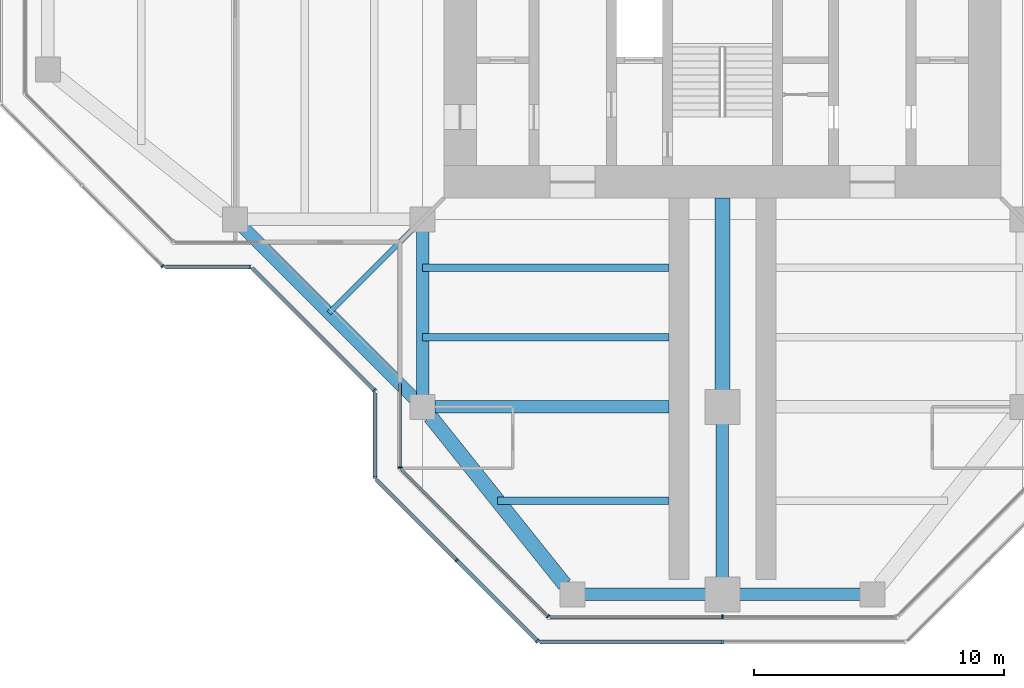
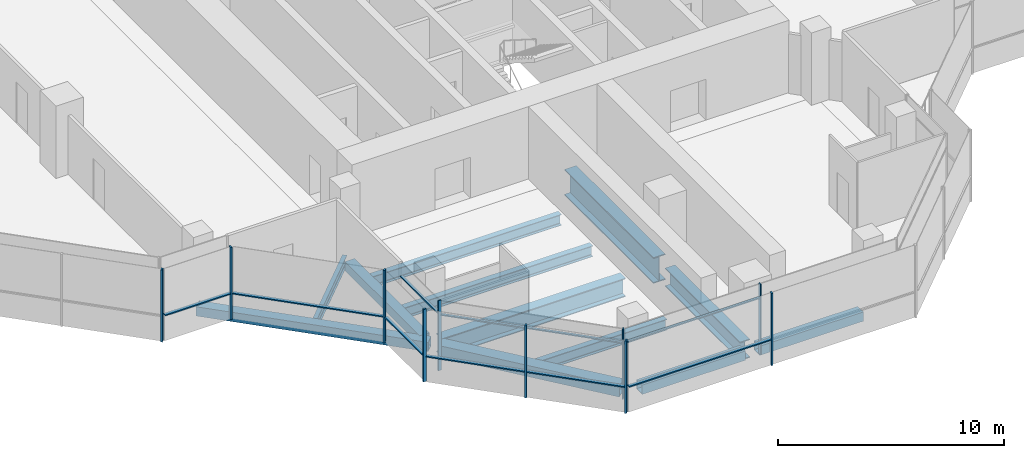
# One storey, part 2 of 15: 19 members, 12 beams, 9 elements without a shape of their own.
"""IFC4 building model written with IfcOpenShell, lengths in metres."""

from ifc_helpers import new_model, si_unit, direction, frame, origin, origin_2d, place, context, subcontext, project, spatial, rectangle, hollow_rectangle, i_section, extrude, material, material_profile, profile_set, type_object, element, aggregate, save


model = new_model("IFC4")

# Units and contexts
model_context = context("Model", 3, precision=1e-05, world=origin(), true_north=direction((0.0, 1.0)))
body_context = subcontext(model_context, "Body", "Model", "MODEL_VIEW")
ifc_project = project(units=[si_unit("LENGTHUNIT", "METRE"), si_unit("AREAUNIT", "SQUARE_METRE"), si_unit("VOLUMEUNIT", "CUBIC_METRE"), si_unit("PLANEANGLEUNIT", "RADIAN"), si_unit("MASSUNIT", "GRAM", prefix="KILO")], contexts=[model_context])

# Site, building, storey
site_placement = place(None, origin())
site = spatial("IfcSite", under=ifc_project, at=site_placement, CompositionType="ELEMENT")
building_placement = place(site_placement, origin())
building = spatial("IfcBuilding", under=site, at=building_placement, Name="Mizan Broadcast Tower", CompositionType="ELEMENT")
storey_placement = place(building_placement, frame((0.0, 0.0, 298.5)))
storey = spatial("IfcBuildingStorey", under=building, at=storey_placement, Name="L71", CompositionType="ELEMENT", Elevation=298.5)

# Beams
ifc_material_1 = material(Name="Steel S355", Category="steel")
ifc_material_profile_1 = material_profile(ifc_material_1, hollow_rectangle(XDim=0.5, YDim=0.5, WallThickness=0.030029296875, at=origin_2d()), Name="BOX 500x500x30")
ifc_profile_set_1 = profile_set([ifc_material_profile_1], Name="Steel S355")
beam_type_1 = type_object("IfcBeamType", Name="EDGE BEAM BOX 500x500x30", PredefinedType="SPANDREL", material=ifc_profile_set_1)
beam_1_placement = place(storey_placement, frame((-12.0, -12.449951171875, -0.3798828125), z_axis=(0.0, -1.0, 0.0), x_axis=(1.0, 0.0, 0.0)))
element("IfcBeam", 1, at=beam_1_placement, inside=storey, type_object=beam_type_1, Name="Edge beam BOX 500x500x30 L71 south arm", PredefinedType="SPANDREL", context=body_context, shape_type="SweptSolid", body=[
    extrude(hollow_rectangle(XDim=0.5, YDim=0.5, WallThickness=0.030029296875, at=origin_2d()), origin(), (0.0, 0.0, 1.0), 6.60009765625),
])
for number, where, z_axis, x_axis, name in (
    (2, (-5.639892578125, -27.0, -0.3798828125), (1.0, 0.0, 0.0), (0.0, 1.0, 0.0), "Edge beam BOX 500x500x30 L71 south arm"),
    (3, (5.639892578125, -27.0, -0.3798828125), (-1.0, 0.0, 0.0), (0.0, -1.0, 0.0), "Edge beam BOX 500x500x30 L71 south arm"),
):
    element("IfcBeam", number, at=place(storey_placement, frame(where, z_axis=z_axis, x_axis=x_axis)), inside=storey, type_object=beam_type_1, Name=name, PredefinedType="SPANDREL", context=body_context, shape_type="SweptSolid", body=[
        extrude(hollow_rectangle(XDim=0.5, YDim=0.5, WallThickness=0.030029296875, at=origin_2d()), origin(), (0.0, 0.0, 1.0), 5.27978515625),
    ])
beam_2_placement = place(storey_placement, frame((-19.5, -12.0, -0.3798828125), z_axis=(0.707106781187, -0.707106781187, 0.0), x_axis=(0.707106781187, 0.707106781187, 0.0)))
element("IfcBeam", 4, at=beam_2_placement, inside=storey, type_object=beam_type_1, Name="Winter garden edge beam L71 W", PredefinedType="SPANDREL", context=body_context, shape_type="SweptSolid", body=[
    extrude(hollow_rectangle(XDim=0.5, YDim=0.5, WallThickness=0.030029296875, at=origin_2d()), origin(), (0.0, 0.0, 1.0), 10.606689453125),
])
ifc_material_2 = material(Name="Steel S355", Category="steel")
ifc_material_profile_2 = material_profile(ifc_material_2, hollow_rectangle(XDim=0.60009765625, YDim=0.60009765625, WallThickness=0.030029296875, at=origin_2d()), Name="BOX 600x600x30")
ifc_profile_set_2 = profile_set([ifc_material_profile_2], Name="Steel S355")
beam_type_2 = type_object("IfcBeamType", Name="EDGE BEAM BOX 600x600x30", PredefinedType="SPANDREL", material=ifc_profile_set_2)
beam_3_placement = place(storey_placement, frame((-11.687744140625, -19.890380859375, -0.429931640625), z_axis=(0.62470196761, -0.780863273348, 0.0), x_axis=(0.780863273348, 0.62470196761, 0.0)))
element("IfcBeam", 5, at=beam_3_placement, inside=storey, type_object=beam_type_2, Name="Edge beam BOX 600x600x30 L71 south arm", PredefinedType="SPANDREL", context=body_context, shape_type="SweptSolid", body=[
    extrude(hollow_rectangle(XDim=0.60009765625, YDim=0.60009765625, WallThickness=0.030029296875, at=origin_2d()), origin(), (0.0, 0.0, 1.0), 8.60498046875),
])
ifc_material_3 = material(Name="Steel S460", Category="steel")
ifc_material_profile_3 = material_profile(ifc_material_3, i_section(OverallWidth=0.5, OverallDepth=1.0, WebThickness=0.02490234375, FlangeThickness=0.050048828125, at=origin_2d()), Name="WPG 1000x500")
ifc_profile_set_3 = profile_set([ifc_material_profile_3], Name="Steel S460")
beam_type_3 = type_object("IfcBeamType", Name="GIRDER WPG 1000x500", PredefinedType="BEAM", material=ifc_profile_set_3)
beam_4_placement = place(storey_placement, frame((0.0, -19.949951171875, -0.6298828125), z_axis=(0.0, -1.0, 0.0), x_axis=(1.0, 0.0, 0.0)))
element("IfcBeam", 6, at=beam_4_placement, inside=storey, type_object=beam_type_3, Name="Girder WPG 1000x500 L71 south arm", PredefinedType="BEAM", context=body_context, shape_type="SweptSolid", body=[
    extrude(i_section(OverallWidth=0.5, OverallDepth=1.0, WebThickness=0.02490234375, FlangeThickness=0.050048828125, at=origin_2d()), origin(), (0.0, 0.0, 1.0), 6.60009765625),
])
beam_5_placement = place(storey_placement, frame((-11.5, -19.5, -0.6298828125), z_axis=(1.0, 0.0, 0.0), x_axis=(0.0, 1.0, 0.0)))
element("IfcBeam", 7, at=beam_5_placement, inside=storey, type_object=beam_type_3, Name="Girder WPG 1000x500 L71 south arm", PredefinedType="BEAM", context=body_context, shape_type="SweptSolid", body=[
    extrude(i_section(OverallWidth=0.5, OverallDepth=1.0, WebThickness=0.02490234375, FlangeThickness=0.050048828125, at=origin_2d()), origin(), (0.0, 0.0, 1.0), 9.35009765625),
])
ifc_material_4 = material(Name="Steel S460", Category="steel")
ifc_material_profile_4 = material_profile(ifc_material_4, i_section(OverallWidth=0.60009765625, OverallDepth=1.39990234375, WebThickness=0.02490234375, FlangeThickness=0.06005859375, at=origin_2d()), Name="WPG 1400x600")
ifc_profile_set_4 = profile_set([ifc_material_profile_4], Name="Steel S460")
beam_type_4 = type_object("IfcBeamType", Name="GIRDER WPG 1400x600", PredefinedType="BEAM", material=ifc_profile_set_4)
beam_6_placement = place(storey_placement, frame((0.0, -11.14990234375, -0.830078125), z_axis=(0.0, -1.0, 0.0), x_axis=(1.0, 0.0, 0.0)))
element("IfcBeam", 8, at=beam_6_placement, inside=storey, type_object=beam_type_4, Name="Girder WPG 1400x600 L71 south arm", PredefinedType="BEAM", context=body_context, shape_type="SweptSolid", body=[
    extrude(i_section(OverallWidth=0.60009765625, OverallDepth=1.39990234375, WebThickness=0.02490234375, FlangeThickness=0.06005859375, at=origin_2d()), origin(), (0.0, 0.0, 1.0), 7.84912109375),
])

# Curtain wall, member
ifc_material_5 = material(Name="Aluminium framed glazing", Category="aluminium")
curtain_wall_type_1 = type_object("IfcCurtainWallType", Name="INNER SKIN TOP ZONE", PredefinedType="USERDEFINED", material=ifc_material_5)
curtain_wall_1_placement = place(storey_placement, origin())
curtain_wall_1 = element("IfcCurtainWall", 9, at=curtain_wall_1_placement, inside=storey, type_object=curtain_wall_type_1, Name="Inner skin top zone L71 S side", ObjectType="INNER SKIN TOP ZONE", PredefinedType="USERDEFINED")
ifc_material_6 = material(Name="Aluminium, pale anodised", Category="aluminium")
ifc_material_profile_5 = material_profile(ifc_material_6, rectangle(XDim=0.159912109375, YDim=0.06005859375, at=origin_2d()), Name="MULLION 160x60")
ifc_profile_set_5 = profile_set([ifc_material_profile_5], Name="Aluminium, pale anodised")
member_type_1 = type_object("IfcMemberType", Name="INNER SKIN MULLION 60x160", PredefinedType="MULLION", material=ifc_profile_set_5)
member_1_placement = place(storey_placement, frame((-12.89990234375, -21.928466796875, 0.0), z_axis=(0.0, 0.0, 1.0), x_axis=(1.0, 0.0, 0.0)))
member_1 = element("IfcMember", 10, at=member_1_placement, type_object=member_type_1, Name="Inner skin top zone L71 S side mullion 2", PredefinedType="MULLION", context=body_context, shape_type="SweptSolid", body=[
    extrude(rectangle(XDim=0.159912109375, YDim=0.06005859375, at=origin_2d()), origin(), (0.0, 0.0, 1.0), 3.77001953125),
])

curtain_wall_2_placement = place(storey_placement, origin())
curtain_wall_2 = element("IfcCurtainWall", 11, at=curtain_wall_2_placement, inside=storey, type_object=curtain_wall_type_1, Name="Inner skin top zone L71 S chamfer", ObjectType="INNER SKIN TOP ZONE", PredefinedType="USERDEFINED")
member_2_placement = place(storey_placement, frame((-6.979736328125, -27.87890625, 0.0), z_axis=(0.0, 0.0, 1.0), x_axis=(0.707106781187, 0.707106781187, 0.0)))
member_2 = element("IfcMember", 12, at=member_2_placement, type_object=member_type_1, Name="Inner skin top zone L71 S chamfer mullion 2", PredefinedType="MULLION", context=body_context, shape_type="SweptSolid", body=[
    extrude(rectangle(XDim=0.159912109375, YDim=0.06005859375, at=origin_2d()), origin(), (0.0, 0.0, 1.0), 3.77001953125),
])

curtain_wall_3_placement = place(storey_placement, origin())
curtain_wall_3 = element("IfcCurtainWall", 13, at=curtain_wall_3_placement, inside=storey, type_object=curtain_wall_type_1, Name="Inner skin top zone L71 S end", ObjectType="INNER SKIN TOP ZONE", PredefinedType="USERDEFINED")
member_3_placement = place(storey_placement, frame((0.0, -27.89990234375, 0.0), z_axis=(0.0, 0.0, 1.0), x_axis=(0.0, 1.0, 0.0)))
member_3 = element("IfcMember", 14, at=member_3_placement, type_object=member_type_1, Name="Inner skin top zone L71 S end mullion 2", PredefinedType="MULLION", context=body_context, shape_type="SweptSolid", body=[
    extrude(rectangle(XDim=0.159912109375, YDim=0.06005859375, at=origin_2d()), origin(), (0.0, 0.0, 1.0), 3.77001953125),
])

# Member
ifc_material_7 = material(Name="Aluminium, pale anodised", Category="aluminium")
ifc_material_profile_6 = material_profile(ifc_material_7, rectangle(XDim=0.1201171875, YDim=0.06005859375, at=origin_2d()), Name="TRANSOM 120x60")
ifc_profile_set_6 = profile_set([ifc_material_profile_6], Name="Aluminium, pale anodised")
member_type_2 = type_object("IfcMemberType", Name="INNER SKIN TRANSOM 60x120", PredefinedType="USERDEFINED", material=ifc_profile_set_6)
member_4_placement = place(storey_placement, frame((-12.89990234375, -18.56005859375, 3.030029296875), z_axis=(0.0, -1.0, 0.0), x_axis=(1.0, 0.0, 0.0)))
member_4 = element("IfcMember", 15, at=member_4_placement, type_object=member_type_2, Name="Inner skin top zone L71 S side transom 1.1", ObjectType="TRANSOM", PredefinedType="USERDEFINED", context=body_context, shape_type="SweptSolid", body=[
    extrude(rectangle(XDim=0.1201171875, YDim=0.06005859375, at=origin_2d()), origin(), (0.0, 0.0, 1.0), 3.338623046875),
])

aggregate(curtain_wall_1, [member_1, member_4])

member_5_placement = place(storey_placement, frame((-12.857666015625, -22.0009765625, 3.030029296875), z_axis=(0.707106781187, -0.707106781187, 0.0), x_axis=(0.707106781187, 0.707106781187, 0.0)))
member_5 = element("IfcMember", 16, at=member_5_placement, type_object=member_type_2, Name="Inner skin top zone L71 S chamfer transom 1.1", ObjectType="TRANSOM", PredefinedType="USERDEFINED", context=body_context, shape_type="SweptSolid", body=[
    extrude(rectangle(XDim=0.1201171875, YDim=0.06005859375, at=origin_2d()), origin(), (0.0, 0.0, 1.0), 8.28271484375),
])

aggregate(curtain_wall_2, [member_2, member_5])

member_6_placement = place(storey_placement, frame((-6.898681640625, -27.89990234375, 3.030029296875), z_axis=(1.0, 0.0, 0.0), x_axis=(0.0, 1.0, 0.0)))
member_6 = element("IfcMember", 17, at=member_6_placement, type_object=member_type_2, Name="Inner skin top zone L71 S end transom 1.1", ObjectType="TRANSOM", PredefinedType="USERDEFINED", context=body_context, shape_type="SweptSolid", body=[
    extrude(rectangle(XDim=0.1201171875, YDim=0.06005859375, at=origin_2d()), origin(), (0.0, 0.0, 1.0), 6.86865234375),
])

aggregate(curtain_wall_3, [member_3, member_6])

# Curtain wall, member
ifc_material_8 = material(Name="Aluminium framed glazing", Category="aluminium")
curtain_wall_type_2 = type_object("IfcCurtainWallType", Name="OUTER SKIN", PredefinedType="USERDEFINED", material=ifc_material_8)
curtain_wall_4_placement = place(storey_placement, origin())
curtain_wall_4 = element("IfcCurtainWall", 18, at=curtain_wall_4_placement, inside=storey, type_object=curtain_wall_type_2, Name="Outer skin L71 W chamfer", ObjectType="OUTER SKIN", PredefinedType="USERDEFINED")
ifc_material_9 = material(Name="Aluminium, pale anodised", Category="aluminium")
ifc_material_profile_7 = material_profile(ifc_material_9, rectangle(XDim=0.159912109375, YDim=0.080078125, at=origin_2d()), Name="MULLION 160x80")
ifc_profile_set_7 = profile_set([ifc_material_profile_7], Name="Aluminium, pale anodised")
member_type_3 = type_object("IfcMemberType", Name="OUTER SKIN MULLION 80x160", PredefinedType="MULLION", material=ifc_profile_set_7)
member_7_placement = place(storey_placement, frame((-22.401123046875, -13.871826171875, 0.0), z_axis=(0.0, 0.0, 1.0), x_axis=(0.707106781187, 0.707106781187, 0.0)))
member_7 = element("IfcMember", 19, at=member_7_placement, type_object=member_type_3, Name="Outer skin L71 W chamfer mullion 3", PredefinedType="MULLION", context=body_context, shape_type="SweptSolid", body=[
    extrude(rectangle(XDim=0.159912109375, YDim=0.080078125, at=origin_2d()), origin(), (0.0, 0.0, 1.0), 3.89990234375),
])
aggregate(curtain_wall_4, [member_7])

curtain_wall_5_placement = place(storey_placement, origin())
curtain_wall_5 = element("IfcCurtainWall", 20, at=curtain_wall_5_placement, inside=storey, type_object=curtain_wall_type_2, Name="Outer skin L71 W side", ObjectType="OUTER SKIN", PredefinedType="USERDEFINED")
member_8_placement = place(storey_placement, frame((-18.912841796875, -13.89990234375, 0.0), z_axis=(0.0, 0.0, 1.0), x_axis=(0.0, 1.0, 0.0)))
member_8 = element("IfcMember", 21, at=member_8_placement, type_object=member_type_3, Name="Outer skin L71 W side mullion 2", PredefinedType="MULLION", context=body_context, shape_type="SweptSolid", body=[
    extrude(rectangle(XDim=0.159912109375, YDim=0.080078125, at=origin_2d()), origin(), (0.0, 0.0, 1.0), 3.89990234375),
])

curtain_wall_6_placement = place(storey_placement, origin())
curtain_wall_6 = element("IfcCurtainWall", 22, at=curtain_wall_6_placement, inside=storey, type_object=curtain_wall_type_2, Name="Outer skin L71 W chamfer", ObjectType="OUTER SKIN", PredefinedType="USERDEFINED")
member_9_placement = place(storey_placement, frame((-13.92822265625, -18.844482421875, 0.0), z_axis=(0.0, 0.0, 1.0), x_axis=(0.707106781187, 0.707106781187, 0.0)))
member_9 = element("IfcMember", 23, at=member_9_placement, type_object=member_type_3, Name="Outer skin L71 W chamfer mullion 2", PredefinedType="MULLION", context=body_context, shape_type="SweptSolid", body=[
    extrude(rectangle(XDim=0.159912109375, YDim=0.080078125, at=origin_2d()), origin(), (0.0, 0.0, 1.0), 3.89990234375),
])

curtain_wall_7_placement = place(storey_placement, origin())
curtain_wall_7 = element("IfcCurtainWall", 24, at=curtain_wall_7_placement, inside=storey, type_object=curtain_wall_type_2, Name="Outer skin L71 S side", ObjectType="OUTER SKIN", PredefinedType="USERDEFINED")
member_10_placement = place(storey_placement, frame((-13.89990234375, -22.332763671875, 0.0), z_axis=(0.0, 0.0, 1.0), x_axis=(1.0, 0.0, 0.0)))
member_10 = element("IfcMember", 25, at=member_10_placement, type_object=member_type_3, Name="Outer skin L71 S side mullion 2", PredefinedType="MULLION", context=body_context, shape_type="SweptSolid", body=[
    extrude(rectangle(XDim=0.159912109375, YDim=0.080078125, at=origin_2d()), origin(), (0.0, 0.0, 1.0), 3.89990234375),
])

# Curtain wall, members
curtain_wall_8_placement = place(storey_placement, origin())
curtain_wall_8 = element("IfcCurtainWall", 26, at=curtain_wall_8_placement, inside=storey, type_object=curtain_wall_type_2, Name="Outer skin L71 S chamfer", ObjectType="OUTER SKIN", PredefinedType="USERDEFINED")
member_11_placement = place(storey_placement, frame((-10.636474609375, -25.636474609375, 0.0), z_axis=(0.0, 0.0, 1.0), x_axis=(0.707106781187, 0.707106781187, 0.0)))
member_11 = element("IfcMember", 27, at=member_11_placement, type_object=member_type_3, Name="Outer skin L71 S chamfer mullion 2", PredefinedType="MULLION", context=body_context, shape_type="SweptSolid", body=[
    extrude(rectangle(XDim=0.159912109375, YDim=0.080078125, at=origin_2d()), origin(), (0.0, 0.0, 1.0), 3.89990234375),
])
member_12_placement = place(storey_placement, frame((-7.401123046875, -28.871826171875, 0.0), z_axis=(0.0, 0.0, 1.0), x_axis=(0.707106781187, 0.707106781187, 0.0)))
member_12 = element("IfcMember", 28, at=member_12_placement, type_object=member_type_3, Name="Outer skin L71 S chamfer mullion 3", PredefinedType="MULLION", context=body_context, shape_type="SweptSolid", body=[
    extrude(rectangle(XDim=0.159912109375, YDim=0.080078125, at=origin_2d()), origin(), (0.0, 0.0, 1.0), 3.89990234375),
])

# Curtain wall, member
curtain_wall_9_placement = place(storey_placement, origin())
curtain_wall_9 = element("IfcCurtainWall", 29, at=curtain_wall_9_placement, inside=storey, type_object=curtain_wall_type_2, Name="Outer skin L71 S end", ObjectType="OUTER SKIN", PredefinedType="USERDEFINED")
member_13_placement = place(storey_placement, frame((0.0, -28.89990234375, 0.0), z_axis=(0.0, 0.0, 1.0), x_axis=(0.0, 1.0, 0.0)))
member_13 = element("IfcMember", 30, at=member_13_placement, type_object=member_type_3, Name="Outer skin L71 S end mullion 2", PredefinedType="MULLION", context=body_context, shape_type="SweptSolid", body=[
    extrude(rectangle(XDim=0.159912109375, YDim=0.080078125, at=origin_2d()), origin(), (0.0, 0.0, 1.0), 3.89990234375),
])

# Member
ifc_material_10 = material(Name="Aluminium, pale anodised", Category="aluminium")
ifc_material_profile_8 = material_profile(ifc_material_10, rectangle(XDim=0.159912109375, YDim=0.06005859375, at=origin_2d()), Name="TRANSOM 160x60")
ifc_profile_set_8 = profile_set([ifc_material_profile_8], Name="Aluminium, pale anodised")
member_type_4 = type_object("IfcMemberType", Name="OUTER SKIN TRANSOM 60x160", PredefinedType="USERDEFINED", material=ifc_profile_set_8)
member_14_placement = place(storey_placement, frame((-22.292724609375, -13.89990234375, 1.39990234375), z_axis=(1.0, 0.0, 0.0), x_axis=(0.0, 1.0, 0.0)))
member_14 = element("IfcMember", 31, at=member_14_placement, type_object=member_type_4, Name="Outer skin L71 W side transom 1.1", ObjectType="TRANSOM", PredefinedType="USERDEFINED", context=body_context, shape_type="SweptSolid", body=[
    extrude(rectangle(XDim=0.159912109375, YDim=0.06005859375, at=origin_2d()), origin(), (0.0, 0.0, 1.0), 3.33984375),
])

aggregate(curtain_wall_5, [member_8, member_14])

member_15_placement = place(storey_placement, frame((-18.816162109375, -13.95654296875, 1.39990234375), z_axis=(0.707106781187, -0.707106781187, 0.0), x_axis=(0.707106781187, 0.707106781187, 0.0)))
member_15 = element("IfcMember", 32, at=member_15_placement, type_object=member_type_4, Name="Outer skin L71 W chamfer transom 1.1", ObjectType="TRANSOM", PredefinedType="USERDEFINED", context=body_context, shape_type="SweptSolid", body=[
    extrude(rectangle(XDim=0.159912109375, YDim=0.06005859375, at=origin_2d()), origin(), (0.0, 0.0, 1.0), 6.87255859375),
])

aggregate(curtain_wall_6, [member_9, member_15])

member_16_placement = place(storey_placement, frame((-13.89990234375, -18.952880859375, 1.39990234375), z_axis=(0.0, -1.0, 0.0), x_axis=(1.0, 0.0, 0.0)))
member_16 = element("IfcMember", 33, at=member_16_placement, type_object=member_type_4, Name="Outer skin L71 S side transom 1.1", ObjectType="TRANSOM", PredefinedType="USERDEFINED", context=body_context, shape_type="SweptSolid", body=[
    extrude(rectangle(XDim=0.159912109375, YDim=0.06005859375, at=origin_2d()), origin(), (0.0, 0.0, 1.0), 3.33984375),
])

aggregate(curtain_wall_7, [member_10, member_16])

member_17_placement = place(storey_placement, frame((-13.843505859375, -22.429443359375, 1.39990234375), z_axis=(0.707106781187, -0.707106781187, 0.0), x_axis=(0.707106781187, 0.707106781187, 0.0)))
member_17 = element("IfcMember", 34, at=member_17_placement, type_object=member_type_4, Name="Outer skin L71 S chamfer transom 1.1", ObjectType="TRANSOM", PredefinedType="USERDEFINED", context=body_context, shape_type="SweptSolid", body=[
    extrude(rectangle(XDim=0.159912109375, YDim=0.06005859375, at=origin_2d()), origin(), (0.0, 0.0, 1.0), 4.495361328125),
])

member_18_placement = place(storey_placement, frame((-10.608154296875, -25.664794921875, 1.39990234375), z_axis=(0.707106781187, -0.707106781187, 0.0), x_axis=(0.707106781187, 0.707106781187, 0.0)))
member_18 = element("IfcMember", 35, at=member_18_placement, type_object=member_type_4, Name="Outer skin L71 S chamfer transom 2.1", ObjectType="TRANSOM", PredefinedType="USERDEFINED", context=body_context, shape_type="SweptSolid", body=[
    extrude(rectangle(XDim=0.159912109375, YDim=0.06005859375, at=origin_2d()), origin(), (0.0, 0.0, 1.0), 4.495361328125),
])

aggregate(curtain_wall_8, [member_11, member_12, member_17, member_18])

member_19_placement = place(storey_placement, frame((-7.292724609375, -28.89990234375, 1.39990234375), z_axis=(1.0, 0.0, 0.0), x_axis=(0.0, 1.0, 0.0)))
member_19 = element("IfcMember", 36, at=member_19_placement, type_object=member_type_4, Name="Outer skin L71 S end transom 1.1", ObjectType="TRANSOM", PredefinedType="USERDEFINED", context=body_context, shape_type="SweptSolid", body=[
    extrude(rectangle(XDim=0.159912109375, YDim=0.06005859375, at=origin_2d()), origin(), (0.0, 0.0, 1.0), 7.252685546875),
])

aggregate(curtain_wall_9, [member_13, member_19])

# Beams
ifc_material_11 = material(Name="Steel S355", Category="steel")
ifc_material_profile_9 = material_profile(ifc_material_11, i_section(OverallWidth=0.300048828125, OverallDepth=0.590087890625, WebThickness=0.012939453125, FlangeThickness=0.02490234375, FilletRadius=0.027099609375, at=origin_2d()), Name="HEA 600")
ifc_profile_set_9 = profile_set([ifc_material_profile_9], Name="Steel S355")
beam_type_5 = type_object("IfcBeamType", Name="SECONDARY BEAM HEA 600", PredefinedType="JOIST", material=ifc_profile_set_9)
for number, where, z_axis, x_axis, name in (
    (37, (-12.0, -13.933349609375, -0.425048828125), (1.0, 0.0, 0.0), (0.0, 1.0, 0.0), "Secondary beam HEA 600 L71 south arm"),
    (38, (-12.0, -16.716552734375, -0.425048828125), (1.0, 0.0, 0.0), (0.0, 1.0, 0.0), "Secondary beam HEA 600 L71 south arm"),
):
    element("IfcBeam", number, at=place(storey_placement, frame(where, z_axis=z_axis, x_axis=x_axis)), inside=storey, type_object=beam_type_5, Name=name, PredefinedType="JOIST", context=body_context, shape_type="SweptSolid", body=[
        extrude(i_section(OverallWidth=0.300048828125, OverallDepth=0.590087890625, WebThickness=0.012939453125, FlangeThickness=0.02490234375, FilletRadius=0.027099609375, at=origin_2d()), origin(), (0.0, 0.0, 1.0), 9.85009765625),
    ])
beam_7_placement = place(storey_placement, frame((-9.0, -23.25, -0.425048828125), z_axis=(1.0, 0.0, 0.0), x_axis=(0.0, 1.0, 0.0)))
element("IfcBeam", 39, at=beam_7_placement, inside=storey, type_object=beam_type_5, Name="Secondary beam HEA 600 L71 south arm", PredefinedType="JOIST", context=body_context, shape_type="SweptSolid", body=[
    extrude(i_section(OverallWidth=0.300048828125, OverallDepth=0.590087890625, WebThickness=0.012939453125, FlangeThickness=0.02490234375, FilletRadius=0.027099609375, at=origin_2d()), origin(), (0.0, 0.0, 1.0), 6.85009765625),
])
ifc_material_12 = material(Name="Steel S355", Category="steel")
ifc_material_profile_10 = material_profile(ifc_material_12, i_section(OverallWidth=0.2099609375, OverallDepth=0.550048828125, WebThickness=0.010986328125, FlangeThickness=0.01708984375, FilletRadius=0.02392578125, at=origin_2d()), Name="IPE 550")
ifc_profile_set_10 = profile_set([ifc_material_profile_10], Name="Steel S355")
beam_type_6 = type_object("IfcBeamType", Name="SECONDARY BEAM IPE 550", PredefinedType="JOIST", material=ifc_profile_set_10)
beam_8_placement = place(storey_placement, frame((-12.0, -12.0, -0.405029296875), z_axis=(-0.707106781187, -0.707106781187, 0.0), x_axis=(0.707106781187, -0.707106781187, 0.0)))
element("IfcBeam", 40, at=beam_8_placement, inside=storey, type_object=beam_type_6, Name="Winter garden beam L71 W", PredefinedType="JOIST", context=body_context, shape_type="SweptSolid", body=[
    extrude(i_section(OverallWidth=0.2099609375, OverallDepth=0.550048828125, WebThickness=0.010986328125, FlangeThickness=0.01708984375, FilletRadius=0.02392578125, at=origin_2d()), origin(), (0.0, 0.0, 1.0), 5.30322265625),
])

save(model, "model.ifc")
